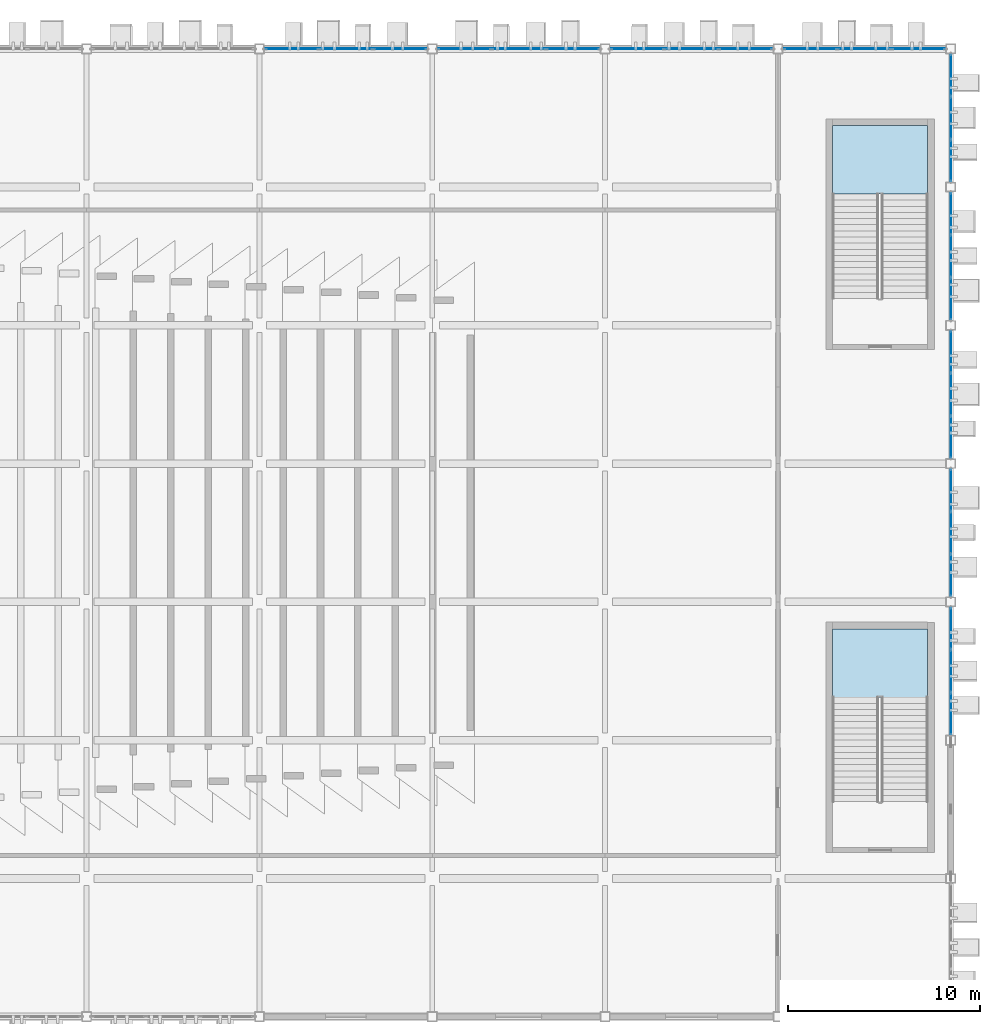
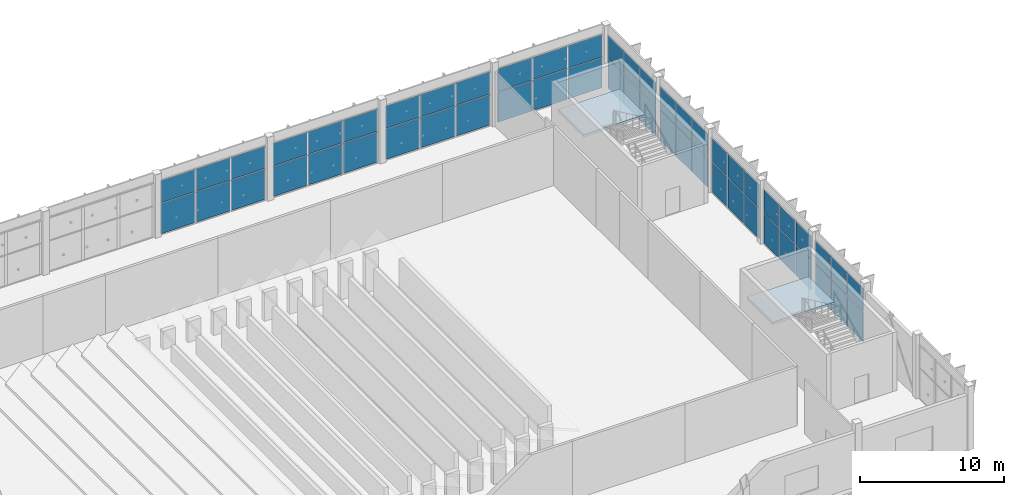
# One storey, part 122 of 189: 54 plates, 2 slabs, 11 elements without a shape of their own.
"""IFC4 building model written with IfcOpenShell, lengths in metres."""

from ifc_helpers import new_model, si_unit, direction, frame, origin, origin_2d, place, context, subcontext, project, spatial, polyline, rectangle, outline, extrude, material, layer, layer_set, type_object, element, aggregate, save


model = new_model("IFC4")

# Units and contexts
model_context = context("Model", 3, precision=1e-05, world=origin(), true_north=direction((0.0, 1.0)))
body_context = subcontext(model_context, "Body", "Model", "MODEL_VIEW")
ifc_project = project(units=[si_unit("LENGTHUNIT", "METRE"), si_unit("AREAUNIT", "SQUARE_METRE"), si_unit("VOLUMEUNIT", "CUBIC_METRE"), si_unit("PLANEANGLEUNIT", "RADIAN"), si_unit("MASSUNIT", "GRAM", prefix="KILO")], contexts=[model_context])

# Site, building, storey
site_placement = place(None, origin())
site = spatial("IfcSite", under=ifc_project, at=site_placement, CompositionType="ELEMENT")
building_placement = place(site_placement, origin())
building = spatial("IfcBuilding", under=site, at=building_placement, Name="Celestram Park Convention Centre", CompositionType="ELEMENT")
storey_placement = place(building_placement, frame((0.0, 0.0, 5.39990234375)))
storey = spatial("IfcBuildingStorey", under=building, at=storey_placement, Name="L01", CompositionType="ELEMENT", Elevation=5.39990234375)

# Curtain wall, plates
ifc_material_1 = material(Name="Anodised Aluminium Alloy 6063-T6", Category="aluminium")
ifc_layer_1 = layer(ifc_material_1, 0.179931640625)
ifc_layer_set_1 = layer_set([ifc_layer_1], Name="Anodised Aluminium Alloy 6063-T6")
curtain_wall_type_1 = type_object("IfcCurtainWallType", Name="ARC-CW-670X462", PredefinedType="NOTDEFINED", material=ifc_layer_set_1)
curtain_wall_1_placement = place(storey_placement, origin())
curtain_wall_1 = element("IfcCurtainWall", 1, at=curtain_wall_1_placement, inside=storey, type_object=curtain_wall_type_1, Name="Unitised curtain wall CU-L01-075", PredefinedType="NOTDEFINED")
ifc_material_2 = material(Name="Insulated Glazing Unit 28 mm", Category="glass")
ifc_layer_2 = layer(ifc_material_2, 0.028076171875)
ifc_layer_set_2 = layer_set([ifc_layer_2], Name="Insulated Glazing Unit 28 mm")
plate_type_1 = type_object("IfcPlateType", Name="ARC-CWP-IGU28", PredefinedType="CURTAIN_PANEL", material=ifc_layer_set_2)
plate_1_placement = place(storey_placement, frame((216.0, 164.218505859375, 0.06005859375), z_axis=(0.0, 0.0, 1.0), x_axis=(0.0, -1.0, 0.0)))
plate_1 = element("IfcPlate", 2, at=plate_1_placement, type_object=plate_type_1, Name="CW-67X46 panel 1.1", PredefinedType="CURTAIN_PANEL", context=body_context, shape_type="SweptSolid", body=[
    extrude(rectangle(XDim=2.13720703125, YDim=0.028076171875, at=origin_2d()), origin(), (0.0, 0.0, 1.0), 2.56005859375),
])
plate_2_placement = place(storey_placement, frame((216.0, 164.218505859375, 2.68017578125), z_axis=(0.0, 0.0, 1.0), x_axis=(0.0, -1.0, 0.0)))
plate_2 = element("IfcPlate", 3, at=plate_2_placement, type_object=plate_type_1, Name="CW-67X46 panel 1.2", PredefinedType="CURTAIN_PANEL", context=body_context, shape_type="SweptSolid", body=[
    extrude(rectangle(XDim=2.13720703125, YDim=0.028076171875, at=origin_2d()), origin(), (0.0, 0.0, 1.0), 1.884033203125),
])
plate_3_placement = place(storey_placement, frame((216.0, 162.0, 0.06005859375), z_axis=(0.0, 0.0, 1.0), x_axis=(0.0, -1.0, 0.0)))
plate_3 = element("IfcPlate", 4, at=plate_3_placement, type_object=plate_type_1, Name="CW-67X46 panel 2.1", PredefinedType="CURTAIN_PANEL", context=body_context, shape_type="SweptSolid", body=[
    extrude(rectangle(XDim=2.169677734375, YDim=0.028076171875, at=origin_2d()), origin(), (0.0, 0.0, 1.0), 2.56005859375),
])
plate_4_placement = place(storey_placement, frame((216.0, 162.0, 2.68017578125), z_axis=(0.0, 0.0, 1.0), x_axis=(0.0, -1.0, 0.0)))
plate_4 = element("IfcPlate", 5, at=plate_4_placement, type_object=plate_type_1, Name="CW-67X46 panel 2.2", PredefinedType="CURTAIN_PANEL", context=body_context, shape_type="SweptSolid", body=[
    extrude(rectangle(XDim=2.169677734375, YDim=0.028076171875, at=origin_2d()), origin(), (0.0, 0.0, 1.0), 1.884033203125),
])
plate_5_placement = place(storey_placement, frame((216.0, 159.781494140625, 0.06005859375), z_axis=(0.0, 0.0, 1.0), x_axis=(0.0, -1.0, 0.0)))
plate_5 = element("IfcPlate", 6, at=plate_5_placement, type_object=plate_type_1, Name="CW-67X46 panel 3.1", PredefinedType="CURTAIN_PANEL", context=body_context, shape_type="SweptSolid", body=[
    extrude(rectangle(XDim=2.13720703125, YDim=0.028076171875, at=origin_2d()), origin(), (0.0, 0.0, 1.0), 2.56005859375),
])
plate_6_placement = place(storey_placement, frame((216.0, 159.781494140625, 2.68017578125), z_axis=(0.0, 0.0, 1.0), x_axis=(0.0, -1.0, 0.0)))
plate_6 = element("IfcPlate", 7, at=plate_6_placement, type_object=plate_type_1, Name="CW-67X46 panel 3.2", PredefinedType="CURTAIN_PANEL", context=body_context, shape_type="SweptSolid", body=[
    extrude(rectangle(XDim=2.13720703125, YDim=0.028076171875, at=origin_2d()), origin(), (0.0, 0.0, 1.0), 1.884033203125),
])
aggregate(curtain_wall_1, [plate_1, plate_2, plate_3, plate_4, plate_5, plate_6])

ifc_layer_3 = layer(ifc_material_1, 0.179931640625)
ifc_layer_set_3 = layer_set([ifc_layer_3], Name="Anodised Aluminium Alloy 6063-T6")
curtain_wall_type_2 = type_object("IfcCurtainWallType", Name="ARC-CW-670X468", PredefinedType="NOTDEFINED", material=ifc_layer_set_3)
curtain_wall_2_placement = place(storey_placement, origin())
curtain_wall_2 = element("IfcCurtainWall", 8, at=curtain_wall_2_placement, inside=storey, type_object=curtain_wall_type_2, Name="Unitised curtain wall CU-L01-076", PredefinedType="NOTDEFINED")
plate_7_placement = place(storey_placement, frame((216.0, 157.018310546875, 0.06005859375), z_axis=(0.0, 0.0, 1.0), x_axis=(0.0, -1.0, 0.0)))
plate_7 = element("IfcPlate", 9, at=plate_7_placement, type_object=plate_type_1, Name="CW-67X46 panel 1.1", PredefinedType="CURTAIN_PANEL", context=body_context, shape_type="SweptSolid", body=[
    extrude(rectangle(XDim=2.13720703125, YDim=0.028076171875, at=origin_2d()), origin(), (0.0, 0.0, 1.0), 2.56005859375),
])
plate_8_placement = place(storey_placement, frame((216.0, 157.018310546875, 2.68017578125), z_axis=(0.0, 0.0, 1.0), x_axis=(0.0, -1.0, 0.0)))
plate_8 = element("IfcPlate", 10, at=plate_8_placement, type_object=plate_type_1, Name="CW-67X46 panel 1.2", PredefinedType="CURTAIN_PANEL", context=body_context, shape_type="SweptSolid", body=[
    extrude(rectangle(XDim=2.13720703125, YDim=0.028076171875, at=origin_2d()), origin(), (0.0, 0.0, 1.0), 1.93994140625),
])
plate_9_placement = place(storey_placement, frame((216.0, 154.800048828125, 0.06005859375), z_axis=(0.0, 0.0, 1.0), x_axis=(0.0, -1.0, 0.0)))
plate_9 = element("IfcPlate", 11, at=plate_9_placement, type_object=plate_type_1, Name="CW-67X46 panel 2.1", PredefinedType="CURTAIN_PANEL", context=body_context, shape_type="SweptSolid", body=[
    extrude(rectangle(XDim=2.169677734375, YDim=0.028076171875, at=origin_2d()), origin(), (0.0, 0.0, 1.0), 2.56005859375),
])
plate_10_placement = place(storey_placement, frame((216.0, 154.800048828125, 2.68017578125), z_axis=(0.0, 0.0, 1.0), x_axis=(0.0, -1.0, 0.0)))
plate_10 = element("IfcPlate", 12, at=plate_10_placement, type_object=plate_type_1, Name="CW-67X46 panel 2.2", PredefinedType="CURTAIN_PANEL", context=body_context, shape_type="SweptSolid", body=[
    extrude(rectangle(XDim=2.169677734375, YDim=0.028076171875, at=origin_2d()), origin(), (0.0, 0.0, 1.0), 1.93994140625),
])
plate_11_placement = place(storey_placement, frame((216.0, 152.58154296875, 0.06005859375), z_axis=(0.0, 0.0, 1.0), x_axis=(0.0, -1.0, 0.0)))
plate_11 = element("IfcPlate", 13, at=plate_11_placement, type_object=plate_type_1, Name="CW-67X46 panel 3.1", PredefinedType="CURTAIN_PANEL", context=body_context, shape_type="SweptSolid", body=[
    extrude(rectangle(XDim=2.13720703125, YDim=0.028076171875, at=origin_2d()), origin(), (0.0, 0.0, 1.0), 2.56005859375),
])
plate_12_placement = place(storey_placement, frame((216.0, 152.58154296875, 2.68017578125), z_axis=(0.0, 0.0, 1.0), x_axis=(0.0, -1.0, 0.0)))
plate_12 = element("IfcPlate", 14, at=plate_12_placement, type_object=plate_type_1, Name="CW-67X46 panel 3.2", PredefinedType="CURTAIN_PANEL", context=body_context, shape_type="SweptSolid", body=[
    extrude(rectangle(XDim=2.13720703125, YDim=0.028076171875, at=origin_2d()), origin(), (0.0, 0.0, 1.0), 1.93994140625),
])
aggregate(curtain_wall_2, [plate_7, plate_8, plate_9, plate_10, plate_11, plate_12])

curtain_wall_3_placement = place(storey_placement, origin())
curtain_wall_3 = element("IfcCurtainWall", 15, at=curtain_wall_3_placement, inside=storey, type_object=curtain_wall_type_2, Name="Unitised curtain wall CU-L01-077", PredefinedType="NOTDEFINED")
plate_13_placement = place(storey_placement, frame((216.0, 149.818359375, 0.06005859375), z_axis=(0.0, 0.0, 1.0), x_axis=(0.0, -1.0, 0.0)))
plate_13 = element("IfcPlate", 16, at=plate_13_placement, type_object=plate_type_1, Name="CW-67X46 panel 1.1", PredefinedType="CURTAIN_PANEL", context=body_context, shape_type="SweptSolid", body=[
    extrude(rectangle(XDim=2.13720703125, YDim=0.028076171875, at=origin_2d()), origin(), (0.0, 0.0, 1.0), 2.56005859375),
])
plate_14_placement = place(storey_placement, frame((216.0, 149.818359375, 2.68017578125), z_axis=(0.0, 0.0, 1.0), x_axis=(0.0, -1.0, 0.0)))
plate_14 = element("IfcPlate", 17, at=plate_14_placement, type_object=plate_type_1, Name="CW-67X46 panel 1.2", PredefinedType="CURTAIN_PANEL", context=body_context, shape_type="SweptSolid", body=[
    extrude(rectangle(XDim=2.13720703125, YDim=0.028076171875, at=origin_2d()), origin(), (0.0, 0.0, 1.0), 1.93994140625),
])
plate_15_placement = place(storey_placement, frame((216.0, 147.60009765625, 0.06005859375), z_axis=(0.0, 0.0, 1.0), x_axis=(0.0, -1.0, 0.0)))
plate_15 = element("IfcPlate", 18, at=plate_15_placement, type_object=plate_type_1, Name="CW-67X46 panel 2.1", PredefinedType="CURTAIN_PANEL", context=body_context, shape_type="SweptSolid", body=[
    extrude(rectangle(XDim=2.169677734375, YDim=0.028076171875, at=origin_2d()), origin(), (0.0, 0.0, 1.0), 2.56005859375),
])
plate_16_placement = place(storey_placement, frame((216.0, 147.60009765625, 2.68017578125), z_axis=(0.0, 0.0, 1.0), x_axis=(0.0, -1.0, 0.0)))
plate_16 = element("IfcPlate", 19, at=plate_16_placement, type_object=plate_type_1, Name="CW-67X46 panel 2.2", PredefinedType="CURTAIN_PANEL", context=body_context, shape_type="SweptSolid", body=[
    extrude(rectangle(XDim=2.169677734375, YDim=0.028076171875, at=origin_2d()), origin(), (0.0, 0.0, 1.0), 1.93994140625),
])
plate_17_placement = place(storey_placement, frame((216.0, 145.381591796875, 0.06005859375), z_axis=(0.0, 0.0, 1.0), x_axis=(0.0, -1.0, 0.0)))
plate_17 = element("IfcPlate", 20, at=plate_17_placement, type_object=plate_type_1, Name="CW-67X46 panel 3.1", PredefinedType="CURTAIN_PANEL", context=body_context, shape_type="SweptSolid", body=[
    extrude(rectangle(XDim=2.13720703125, YDim=0.028076171875, at=origin_2d()), origin(), (0.0, 0.0, 1.0), 2.56005859375),
])
plate_18_placement = place(storey_placement, frame((216.0, 145.381591796875, 2.68017578125), z_axis=(0.0, 0.0, 1.0), x_axis=(0.0, -1.0, 0.0)))
plate_18 = element("IfcPlate", 21, at=plate_18_placement, type_object=plate_type_1, Name="CW-67X46 panel 3.2", PredefinedType="CURTAIN_PANEL", context=body_context, shape_type="SweptSolid", body=[
    extrude(rectangle(XDim=2.13720703125, YDim=0.028076171875, at=origin_2d()), origin(), (0.0, 0.0, 1.0), 1.93994140625),
])
aggregate(curtain_wall_3, [plate_13, plate_14, plate_15, plate_16, plate_17, plate_18])

curtain_wall_4_placement = place(storey_placement, origin())
curtain_wall_4 = element("IfcCurtainWall", 22, at=curtain_wall_4_placement, inside=storey, type_object=curtain_wall_type_2, Name="Unitised curtain wall CU-L01-078", PredefinedType="NOTDEFINED")
plate_19_placement = place(storey_placement, frame((216.0, 142.618408203125, 0.06005859375), z_axis=(0.0, 0.0, 1.0), x_axis=(0.0, -1.0, 0.0)))
plate_19 = element("IfcPlate", 23, at=plate_19_placement, type_object=plate_type_1, Name="CW-67X46 panel 1.1", PredefinedType="CURTAIN_PANEL", context=body_context, shape_type="SweptSolid", body=[
    extrude(rectangle(XDim=2.13720703125, YDim=0.028076171875, at=origin_2d()), origin(), (0.0, 0.0, 1.0), 2.56005859375),
])
plate_20_placement = place(storey_placement, frame((216.0, 142.618408203125, 2.68017578125), z_axis=(0.0, 0.0, 1.0), x_axis=(0.0, -1.0, 0.0)))
plate_20 = element("IfcPlate", 24, at=plate_20_placement, type_object=plate_type_1, Name="CW-67X46 panel 1.2", PredefinedType="CURTAIN_PANEL", context=body_context, shape_type="SweptSolid", body=[
    extrude(rectangle(XDim=2.13720703125, YDim=0.028076171875, at=origin_2d()), origin(), (0.0, 0.0, 1.0), 1.93994140625),
])
plate_21_placement = place(storey_placement, frame((216.0, 140.39990234375, 0.06005859375), z_axis=(0.0, 0.0, 1.0), x_axis=(0.0, -1.0, 0.0)))
plate_21 = element("IfcPlate", 25, at=plate_21_placement, type_object=plate_type_1, Name="CW-67X46 panel 2.1", PredefinedType="CURTAIN_PANEL", context=body_context, shape_type="SweptSolid", body=[
    extrude(rectangle(XDim=2.169677734375, YDim=0.028076171875, at=origin_2d()), origin(), (0.0, 0.0, 1.0), 2.56005859375),
])
plate_22_placement = place(storey_placement, frame((216.0, 140.39990234375, 2.68017578125), z_axis=(0.0, 0.0, 1.0), x_axis=(0.0, -1.0, 0.0)))
plate_22 = element("IfcPlate", 26, at=plate_22_placement, type_object=plate_type_1, Name="CW-67X46 panel 2.2", PredefinedType="CURTAIN_PANEL", context=body_context, shape_type="SweptSolid", body=[
    extrude(rectangle(XDim=2.169677734375, YDim=0.028076171875, at=origin_2d()), origin(), (0.0, 0.0, 1.0), 1.93994140625),
])
plate_23_placement = place(storey_placement, frame((216.0, 138.181640625, 0.06005859375), z_axis=(0.0, 0.0, 1.0), x_axis=(0.0, -1.0, 0.0)))
plate_23 = element("IfcPlate", 27, at=plate_23_placement, type_object=plate_type_1, Name="CW-67X46 panel 3.1", PredefinedType="CURTAIN_PANEL", context=body_context, shape_type="SweptSolid", body=[
    extrude(rectangle(XDim=2.13720703125, YDim=0.028076171875, at=origin_2d()), origin(), (0.0, 0.0, 1.0), 2.56005859375),
])
plate_24_placement = place(storey_placement, frame((216.0, 138.181640625, 2.68017578125), z_axis=(0.0, 0.0, 1.0), x_axis=(0.0, -1.0, 0.0)))
plate_24 = element("IfcPlate", 28, at=plate_24_placement, type_object=plate_type_1, Name="CW-67X46 panel 3.2", PredefinedType="CURTAIN_PANEL", context=body_context, shape_type="SweptSolid", body=[
    extrude(rectangle(XDim=2.13720703125, YDim=0.028076171875, at=origin_2d()), origin(), (0.0, 0.0, 1.0), 1.93994140625),
])
aggregate(curtain_wall_4, [plate_19, plate_20, plate_21, plate_22, plate_23, plate_24])

curtain_wall_5_placement = place(storey_placement, origin())
curtain_wall_5 = element("IfcCurtainWall", 29, at=curtain_wall_5_placement, inside=storey, type_object=curtain_wall_type_2, Name="Unitised curtain wall CU-L01-079", PredefinedType="NOTDEFINED")
plate_25_placement = place(storey_placement, frame((216.0, 135.41845703125, 0.06005859375), z_axis=(0.0, 0.0, 1.0), x_axis=(0.0, -1.0, 0.0)))
plate_25 = element("IfcPlate", 30, at=plate_25_placement, type_object=plate_type_1, Name="CW-67X46 panel 1.1", PredefinedType="CURTAIN_PANEL", context=body_context, shape_type="SweptSolid", body=[
    extrude(rectangle(XDim=2.13720703125, YDim=0.028076171875, at=origin_2d()), origin(), (0.0, 0.0, 1.0), 2.56005859375),
])
plate_26_placement = place(storey_placement, frame((216.0, 135.41845703125, 2.68017578125), z_axis=(0.0, 0.0, 1.0), x_axis=(0.0, -1.0, 0.0)))
plate_26 = element("IfcPlate", 31, at=plate_26_placement, type_object=plate_type_1, Name="CW-67X46 panel 1.2", PredefinedType="CURTAIN_PANEL", context=body_context, shape_type="SweptSolid", body=[
    extrude(rectangle(XDim=2.13720703125, YDim=0.028076171875, at=origin_2d()), origin(), (0.0, 0.0, 1.0), 1.93994140625),
])
plate_27_placement = place(storey_placement, frame((216.0, 133.199951171875, 0.06005859375), z_axis=(0.0, 0.0, 1.0), x_axis=(0.0, -1.0, 0.0)))
plate_27 = element("IfcPlate", 32, at=plate_27_placement, type_object=plate_type_1, Name="CW-67X46 panel 2.1", PredefinedType="CURTAIN_PANEL", context=body_context, shape_type="SweptSolid", body=[
    extrude(rectangle(XDim=2.169677734375, YDim=0.028076171875, at=origin_2d()), origin(), (0.0, 0.0, 1.0), 2.56005859375),
])
plate_28_placement = place(storey_placement, frame((216.0, 133.199951171875, 2.68017578125), z_axis=(0.0, 0.0, 1.0), x_axis=(0.0, -1.0, 0.0)))
plate_28 = element("IfcPlate", 33, at=plate_28_placement, type_object=plate_type_1, Name="CW-67X46 panel 2.2", PredefinedType="CURTAIN_PANEL", context=body_context, shape_type="SweptSolid", body=[
    extrude(rectangle(XDim=2.169677734375, YDim=0.028076171875, at=origin_2d()), origin(), (0.0, 0.0, 1.0), 1.93994140625),
])
plate_29_placement = place(storey_placement, frame((216.0, 130.981689453125, 0.06005859375), z_axis=(0.0, 0.0, 1.0), x_axis=(0.0, -1.0, 0.0)))
plate_29 = element("IfcPlate", 34, at=plate_29_placement, type_object=plate_type_1, Name="CW-67X46 panel 3.1", PredefinedType="CURTAIN_PANEL", context=body_context, shape_type="SweptSolid", body=[
    extrude(rectangle(XDim=2.13720703125, YDim=0.028076171875, at=origin_2d()), origin(), (0.0, 0.0, 1.0), 2.56005859375),
])
plate_30_placement = place(storey_placement, frame((216.0, 130.981689453125, 2.68017578125), z_axis=(0.0, 0.0, 1.0), x_axis=(0.0, -1.0, 0.0)))
plate_30 = element("IfcPlate", 35, at=plate_30_placement, type_object=plate_type_1, Name="CW-67X46 panel 3.2", PredefinedType="CURTAIN_PANEL", context=body_context, shape_type="SweptSolid", body=[
    extrude(rectangle(XDim=2.13720703125, YDim=0.028076171875, at=origin_2d()), origin(), (0.0, 0.0, 1.0), 1.93994140625),
])
aggregate(curtain_wall_5, [plate_25, plate_26, plate_27, plate_28, plate_29, plate_30])

ifc_layer_4 = layer(ifc_material_1, 0.179931640625)
ifc_layer_set_4 = layer_set([ifc_layer_4], Name="Anodised Aluminium Alloy 6063-T6")
curtain_wall_type_3 = type_object("IfcCurtainWallType", Name="ARC-CW-850X462", PredefinedType="NOTDEFINED", material=ifc_layer_set_4)
curtain_wall_6_placement = place(storey_placement, origin())
curtain_wall_6 = element("IfcCurtainWall", 36, at=curtain_wall_6_placement, inside=storey, type_object=curtain_wall_type_3, Name="Unitised curtain wall CU-L01-071", PredefinedType="NOTDEFINED")
ifc_material_3 = material(Name="Insulated Glazing Unit 38 mm", Category="glass")
ifc_layer_5 = layer(ifc_material_3, 0.0380859375)
ifc_layer_set_5 = layer_set([ifc_layer_5], Name="Insulated Glazing Unit 38 mm")
plate_type_2 = type_object("IfcPlateType", Name="ARC-CWP-IGU38", PredefinedType="CURTAIN_PANEL", material=ifc_layer_set_5)
plate_31_placement = place(storey_placement, frame((181.68408203125, 165.60009765625, 0.06494140625), z_axis=(0.0, 0.0, 1.0), x_axis=(1.0, 0.0, 0.0)))
plate_31 = element("IfcPlate", 37, at=plate_31_placement, type_object=plate_type_2, Name="CW-85X46 panel 1.1", PredefinedType="CURTAIN_PANEL", context=body_context, shape_type="SweptSolid", body=[
    extrude(rectangle(XDim=2.72216796875, YDim=0.0380859375, at=origin_2d()), origin(), (0.0, 0.0, 1.0), 2.552490234375),
])
plate_32_placement = place(storey_placement, frame((181.68408203125, 165.60009765625, 2.6826171875), z_axis=(0.0, 0.0, 1.0), x_axis=(1.0, 0.0, 0.0)))
plate_32 = element("IfcPlate", 38, at=plate_32_placement, type_object=plate_type_2, Name="CW-85X46 panel 1.2", PredefinedType="CURTAIN_PANEL", context=body_context, shape_type="SweptSolid", body=[
    extrude(rectangle(XDim=2.72216796875, YDim=0.0380859375, at=origin_2d()), origin(), (0.0, 0.0, 1.0), 1.87646484375),
])
plate_33_placement = place(storey_placement, frame((184.5, 165.60009765625, 0.06494140625), z_axis=(0.0, 0.0, 1.0), x_axis=(1.0, 0.0, 0.0)))
plate_33 = element("IfcPlate", 39, at=plate_33_placement, type_object=plate_type_2, Name="CW-85X46 panel 2.1", PredefinedType="CURTAIN_PANEL", context=body_context, shape_type="SweptSolid", body=[
    extrude(rectangle(XDim=2.759765625, YDim=0.0380859375, at=origin_2d()), origin(), (0.0, 0.0, 1.0), 2.552490234375),
])
plate_34_placement = place(storey_placement, frame((184.5, 165.60009765625, 2.6826171875), z_axis=(0.0, 0.0, 1.0), x_axis=(1.0, 0.0, 0.0)))
plate_34 = element("IfcPlate", 40, at=plate_34_placement, type_object=plate_type_2, Name="CW-85X46 panel 2.2", PredefinedType="CURTAIN_PANEL", context=body_context, shape_type="SweptSolid", body=[
    extrude(rectangle(XDim=2.759765625, YDim=0.0380859375, at=origin_2d()), origin(), (0.0, 0.0, 1.0), 1.87646484375),
])
plate_35_placement = place(storey_placement, frame((187.31591796875, 165.60009765625, 0.06494140625), z_axis=(0.0, 0.0, 1.0), x_axis=(1.0, 0.0, 0.0)))
plate_35 = element("IfcPlate", 41, at=plate_35_placement, type_object=plate_type_2, Name="CW-85X46 panel 3.1", PredefinedType="CURTAIN_PANEL", context=body_context, shape_type="SweptSolid", body=[
    extrude(rectangle(XDim=2.72216796875, YDim=0.0380859375, at=origin_2d()), origin(), (0.0, 0.0, 1.0), 2.552490234375),
])
plate_36_placement = place(storey_placement, frame((187.31591796875, 165.60009765625, 2.6826171875), z_axis=(0.0, 0.0, 1.0), x_axis=(1.0, 0.0, 0.0)))
plate_36 = element("IfcPlate", 42, at=plate_36_placement, type_object=plate_type_2, Name="CW-85X46 panel 3.2", PredefinedType="CURTAIN_PANEL", context=body_context, shape_type="SweptSolid", body=[
    extrude(rectangle(XDim=2.72216796875, YDim=0.0380859375, at=origin_2d()), origin(), (0.0, 0.0, 1.0), 1.87646484375),
])
aggregate(curtain_wall_6, [plate_31, plate_32, plate_33, plate_34, plate_35, plate_36])

curtain_wall_7_placement = place(storey_placement, origin())
curtain_wall_7 = element("IfcCurtainWall", 43, at=curtain_wall_7_placement, inside=storey, type_object=curtain_wall_type_3, Name="Unitised curtain wall CU-L01-072", PredefinedType="NOTDEFINED")
plate_37_placement = place(storey_placement, frame((190.68408203125, 165.60009765625, 0.06494140625), z_axis=(0.0, 0.0, 1.0), x_axis=(1.0, 0.0, 0.0)))
plate_37 = element("IfcPlate", 44, at=plate_37_placement, type_object=plate_type_2, Name="CW-85X46 panel 1.1", PredefinedType="CURTAIN_PANEL", context=body_context, shape_type="SweptSolid", body=[
    extrude(rectangle(XDim=2.72216796875, YDim=0.0380859375, at=origin_2d()), origin(), (0.0, 0.0, 1.0), 2.552490234375),
])
plate_38_placement = place(storey_placement, frame((190.68408203125, 165.60009765625, 2.6826171875), z_axis=(0.0, 0.0, 1.0), x_axis=(1.0, 0.0, 0.0)))
plate_38 = element("IfcPlate", 45, at=plate_38_placement, type_object=plate_type_2, Name="CW-85X46 panel 1.2", PredefinedType="CURTAIN_PANEL", context=body_context, shape_type="SweptSolid", body=[
    extrude(rectangle(XDim=2.72216796875, YDim=0.0380859375, at=origin_2d()), origin(), (0.0, 0.0, 1.0), 1.87646484375),
])
plate_39_placement = place(storey_placement, frame((193.5, 165.60009765625, 0.06494140625), z_axis=(0.0, 0.0, 1.0), x_axis=(1.0, 0.0, 0.0)))
plate_39 = element("IfcPlate", 46, at=plate_39_placement, type_object=plate_type_2, Name="CW-85X46 panel 2.1", PredefinedType="CURTAIN_PANEL", context=body_context, shape_type="SweptSolid", body=[
    extrude(rectangle(XDim=2.759765625, YDim=0.0380859375, at=origin_2d()), origin(), (0.0, 0.0, 1.0), 2.552490234375),
])
plate_40_placement = place(storey_placement, frame((193.5, 165.60009765625, 2.6826171875), z_axis=(0.0, 0.0, 1.0), x_axis=(1.0, 0.0, 0.0)))
plate_40 = element("IfcPlate", 47, at=plate_40_placement, type_object=plate_type_2, Name="CW-85X46 panel 2.2", PredefinedType="CURTAIN_PANEL", context=body_context, shape_type="SweptSolid", body=[
    extrude(rectangle(XDim=2.759765625, YDim=0.0380859375, at=origin_2d()), origin(), (0.0, 0.0, 1.0), 1.87646484375),
])
plate_41_placement = place(storey_placement, frame((196.31591796875, 165.60009765625, 0.06494140625), z_axis=(0.0, 0.0, 1.0), x_axis=(1.0, 0.0, 0.0)))
plate_41 = element("IfcPlate", 48, at=plate_41_placement, type_object=plate_type_2, Name="CW-85X46 panel 3.1", PredefinedType="CURTAIN_PANEL", context=body_context, shape_type="SweptSolid", body=[
    extrude(rectangle(XDim=2.72216796875, YDim=0.0380859375, at=origin_2d()), origin(), (0.0, 0.0, 1.0), 2.552490234375),
])
plate_42_placement = place(storey_placement, frame((196.31591796875, 165.60009765625, 2.6826171875), z_axis=(0.0, 0.0, 1.0), x_axis=(1.0, 0.0, 0.0)))
plate_42 = element("IfcPlate", 49, at=plate_42_placement, type_object=plate_type_2, Name="CW-85X46 panel 3.2", PredefinedType="CURTAIN_PANEL", context=body_context, shape_type="SweptSolid", body=[
    extrude(rectangle(XDim=2.72216796875, YDim=0.0380859375, at=origin_2d()), origin(), (0.0, 0.0, 1.0), 1.87646484375),
])
aggregate(curtain_wall_7, [plate_37, plate_38, plate_39, plate_40, plate_41, plate_42])

curtain_wall_8_placement = place(storey_placement, origin())
curtain_wall_8 = element("IfcCurtainWall", 50, at=curtain_wall_8_placement, inside=storey, type_object=curtain_wall_type_3, Name="Unitised curtain wall CU-L01-073", PredefinedType="NOTDEFINED")
plate_43_placement = place(storey_placement, frame((199.68408203125, 165.60009765625, 0.06494140625), z_axis=(0.0, 0.0, 1.0), x_axis=(1.0, 0.0, 0.0)))
plate_43 = element("IfcPlate", 51, at=plate_43_placement, type_object=plate_type_2, Name="CW-85X46 panel 1.1", PredefinedType="CURTAIN_PANEL", context=body_context, shape_type="SweptSolid", body=[
    extrude(rectangle(XDim=2.72216796875, YDim=0.0380859375, at=origin_2d()), origin(), (0.0, 0.0, 1.0), 2.552490234375),
])
plate_44_placement = place(storey_placement, frame((199.68408203125, 165.60009765625, 2.6826171875), z_axis=(0.0, 0.0, 1.0), x_axis=(1.0, 0.0, 0.0)))
plate_44 = element("IfcPlate", 52, at=plate_44_placement, type_object=plate_type_2, Name="CW-85X46 panel 1.2", PredefinedType="CURTAIN_PANEL", context=body_context, shape_type="SweptSolid", body=[
    extrude(rectangle(XDim=2.72216796875, YDim=0.0380859375, at=origin_2d()), origin(), (0.0, 0.0, 1.0), 1.87646484375),
])
plate_45_placement = place(storey_placement, frame((202.5, 165.60009765625, 0.06494140625), z_axis=(0.0, 0.0, 1.0), x_axis=(1.0, 0.0, 0.0)))
plate_45 = element("IfcPlate", 53, at=plate_45_placement, type_object=plate_type_2, Name="CW-85X46 panel 2.1", PredefinedType="CURTAIN_PANEL", context=body_context, shape_type="SweptSolid", body=[
    extrude(rectangle(XDim=2.759765625, YDim=0.0380859375, at=origin_2d()), origin(), (0.0, 0.0, 1.0), 2.552490234375),
])
plate_46_placement = place(storey_placement, frame((202.5, 165.60009765625, 2.6826171875), z_axis=(0.0, 0.0, 1.0), x_axis=(1.0, 0.0, 0.0)))
plate_46 = element("IfcPlate", 54, at=plate_46_placement, type_object=plate_type_2, Name="CW-85X46 panel 2.2", PredefinedType="CURTAIN_PANEL", context=body_context, shape_type="SweptSolid", body=[
    extrude(rectangle(XDim=2.759765625, YDim=0.0380859375, at=origin_2d()), origin(), (0.0, 0.0, 1.0), 1.87646484375),
])
plate_47_placement = place(storey_placement, frame((205.31591796875, 165.60009765625, 0.06494140625), z_axis=(0.0, 0.0, 1.0), x_axis=(1.0, 0.0, 0.0)))
plate_47 = element("IfcPlate", 55, at=plate_47_placement, type_object=plate_type_2, Name="CW-85X46 panel 3.1", PredefinedType="CURTAIN_PANEL", context=body_context, shape_type="SweptSolid", body=[
    extrude(rectangle(XDim=2.72216796875, YDim=0.0380859375, at=origin_2d()), origin(), (0.0, 0.0, 1.0), 2.552490234375),
])
plate_48_placement = place(storey_placement, frame((205.31591796875, 165.60009765625, 2.6826171875), z_axis=(0.0, 0.0, 1.0), x_axis=(1.0, 0.0, 0.0)))
plate_48 = element("IfcPlate", 56, at=plate_48_placement, type_object=plate_type_2, Name="CW-85X46 panel 3.2", PredefinedType="CURTAIN_PANEL", context=body_context, shape_type="SweptSolid", body=[
    extrude(rectangle(XDim=2.72216796875, YDim=0.0380859375, at=origin_2d()), origin(), (0.0, 0.0, 1.0), 1.87646484375),
])
aggregate(curtain_wall_8, [plate_43, plate_44, plate_45, plate_46, plate_47, plate_48])

curtain_wall_9_placement = place(storey_placement, origin())
curtain_wall_9 = element("IfcCurtainWall", 57, at=curtain_wall_9_placement, inside=storey, type_object=curtain_wall_type_3, Name="Unitised curtain wall CU-L01-074", PredefinedType="NOTDEFINED")
plate_49_placement = place(storey_placement, frame((208.68408203125, 165.60009765625, 0.06494140625), z_axis=(0.0, 0.0, 1.0), x_axis=(1.0, 0.0, 0.0)))
plate_49 = element("IfcPlate", 58, at=plate_49_placement, type_object=plate_type_2, Name="CW-85X46 panel 1.1", PredefinedType="CURTAIN_PANEL", context=body_context, shape_type="SweptSolid", body=[
    extrude(rectangle(XDim=2.72216796875, YDim=0.0380859375, at=origin_2d()), origin(), (0.0, 0.0, 1.0), 2.552490234375),
])
plate_50_placement = place(storey_placement, frame((208.68408203125, 165.60009765625, 2.6826171875), z_axis=(0.0, 0.0, 1.0), x_axis=(1.0, 0.0, 0.0)))
plate_50 = element("IfcPlate", 59, at=plate_50_placement, type_object=plate_type_2, Name="CW-85X46 panel 1.2", PredefinedType="CURTAIN_PANEL", context=body_context, shape_type="SweptSolid", body=[
    extrude(rectangle(XDim=2.72216796875, YDim=0.0380859375, at=origin_2d()), origin(), (0.0, 0.0, 1.0), 1.87646484375),
])
plate_51_placement = place(storey_placement, frame((211.5, 165.60009765625, 0.06494140625), z_axis=(0.0, 0.0, 1.0), x_axis=(1.0, 0.0, 0.0)))
plate_51 = element("IfcPlate", 60, at=plate_51_placement, type_object=plate_type_2, Name="CW-85X46 panel 2.1", PredefinedType="CURTAIN_PANEL", context=body_context, shape_type="SweptSolid", body=[
    extrude(rectangle(XDim=2.759765625, YDim=0.0380859375, at=origin_2d()), origin(), (0.0, 0.0, 1.0), 2.552490234375),
])
plate_52_placement = place(storey_placement, frame((211.5, 165.60009765625, 2.6826171875), z_axis=(0.0, 0.0, 1.0), x_axis=(1.0, 0.0, 0.0)))
plate_52 = element("IfcPlate", 61, at=plate_52_placement, type_object=plate_type_2, Name="CW-85X46 panel 2.2", PredefinedType="CURTAIN_PANEL", context=body_context, shape_type="SweptSolid", body=[
    extrude(rectangle(XDim=2.759765625, YDim=0.0380859375, at=origin_2d()), origin(), (0.0, 0.0, 1.0), 1.87646484375),
])
plate_53_placement = place(storey_placement, frame((214.31591796875, 165.60009765625, 0.06494140625), z_axis=(0.0, 0.0, 1.0), x_axis=(1.0, 0.0, 0.0)))
plate_53 = element("IfcPlate", 62, at=plate_53_placement, type_object=plate_type_2, Name="CW-85X46 panel 3.1", PredefinedType="CURTAIN_PANEL", context=body_context, shape_type="SweptSolid", body=[
    extrude(rectangle(XDim=2.72216796875, YDim=0.0380859375, at=origin_2d()), origin(), (0.0, 0.0, 1.0), 2.552490234375),
])
plate_54_placement = place(storey_placement, frame((214.31591796875, 165.60009765625, 2.6826171875), z_axis=(0.0, 0.0, 1.0), x_axis=(1.0, 0.0, 0.0)))
plate_54 = element("IfcPlate", 63, at=plate_54_placement, type_object=plate_type_2, Name="CW-85X46 panel 3.2", PredefinedType="CURTAIN_PANEL", context=body_context, shape_type="SweptSolid", body=[
    extrude(rectangle(XDim=2.72216796875, YDim=0.0380859375, at=origin_2d()), origin(), (0.0, 0.0, 1.0), 1.87646484375),
])
aggregate(curtain_wall_9, [plate_49, plate_50, plate_51, plate_52, plate_53, plate_54])

# Stair, slab
ifc_material_4 = material(Name="Precast Concrete C40/50", Category="concrete")
stair_type = type_object("IfcStairType", Name="ARC-STR-DOG54", PredefinedType="HALF_TURN_STAIR", material=ifc_material_4)
stair_1_placement = place(storey_placement, origin())
stair_1 = element("IfcStair", 64, at=stair_1_placement, inside=storey, type_object=stair_type, Name="L01 Core S07 stair ST-07", PredefinedType="HALF_TURN_STAIR")
ifc_material_5 = material(Name="Concrete C35/45", Category="concrete")
ifc_layer_6 = layer(ifc_material_5, 0.199951171875)
ifc_layer_set_6 = layer_set([ifc_layer_6], Name="Concrete C35/45")
slab_type = type_object("IfcSlabType", Name="STR-SLB-LND200", PredefinedType="LANDING", material=ifc_layer_set_6)
slab_1_placement = place(storey_placement, frame((0.0, 0.0, 2.5)))
slab_1 = element("IfcSlab", 65, at=slab_1_placement, type_object=slab_type, Name="ST-07 landing 1", PredefinedType="LANDING", context=body_context, shape_type="SweptSolid", body=[
    extrude(outline(polyline([(214.800048828125, 158.033935546875), (214.800048828125, 161.60009765625), (209.840087890625, 161.60009765625), (209.840087890625, 158.033935546875), (214.800048828125, 158.033935546875)])), origin(), (0.0, 0.0, 1.0), 0.2001953125),
])
aggregate(stair_1, [slab_1])

stair_2_placement = place(storey_placement, origin())
stair_2 = element("IfcStair", 66, at=stair_2_placement, inside=storey, type_object=stair_type, Name="L01 Core S08 stair ST-08", PredefinedType="HALF_TURN_STAIR")
slab_2_placement = place(storey_placement, frame((0.0, 0.0, 2.5)))
slab_2 = element("IfcSlab", 67, at=slab_2_placement, type_object=slab_type, Name="ST-08 landing 1", PredefinedType="LANDING", context=body_context, shape_type="SweptSolid", body=[
    extrude(outline(polyline([(214.800048828125, 131.833984375), (214.800048828125, 135.39990234375), (209.840087890625, 135.39990234375), (209.840087890625, 131.833984375), (214.800048828125, 131.833984375)])), origin(), (0.0, 0.0, 1.0), 0.2001953125),
])
aggregate(stair_2, [slab_2])

save(model, "model.ifc")
